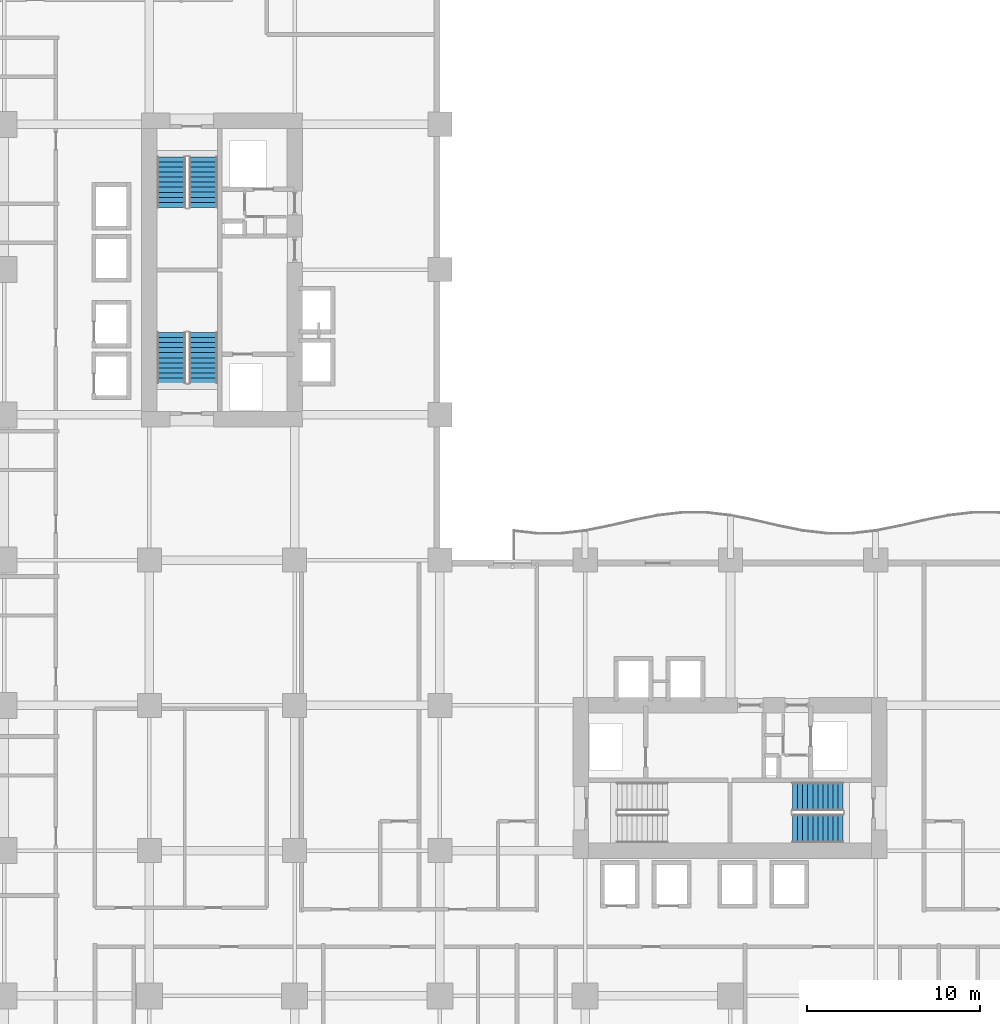
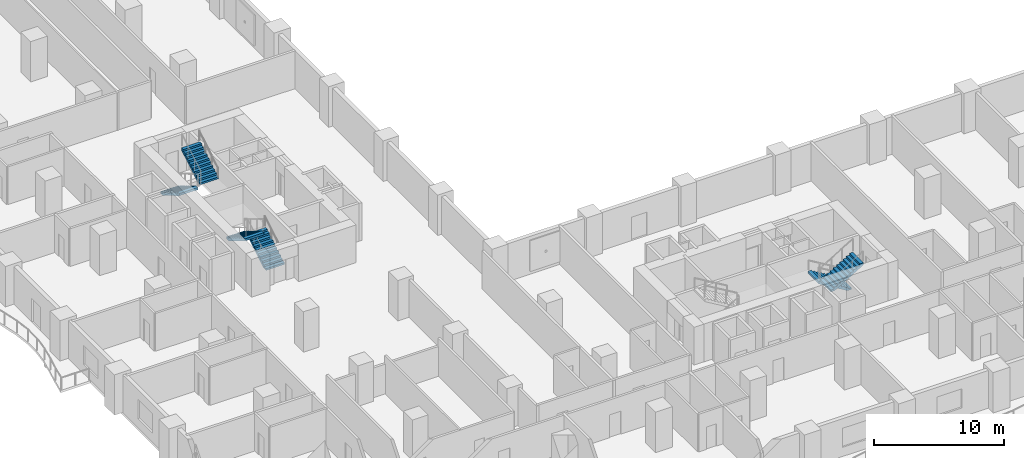
# One storey, part 14 of 22: 6 stair flights, 3 elements without a shape of their own.
"""IFC4 building model written with IfcOpenShell, lengths in metres."""

from ifc_helpers import new_model, si_unit, direction, frame, origin, place, context, subcontext, project, spatial, polyline, outline, extrude, material, type_object, element, aggregate, save


model = new_model("IFC4")

# Units and contexts
model_context = context("Model", 3, precision=1e-05, world=origin(), true_north=direction((0.0, 1.0)))
body_context = subcontext(model_context, "Body", "Model", "MODEL_VIEW")
ifc_project = project(units=[si_unit("LENGTHUNIT", "METRE"), si_unit("AREAUNIT", "SQUARE_METRE"), si_unit("VOLUMEUNIT", "CUBIC_METRE"), si_unit("PLANEANGLEUNIT", "RADIAN"), si_unit("MASSUNIT", "GRAM", prefix="KILO")], contexts=[model_context])

# Site, building, storey
site_placement = place(None, origin())
site = spatial("IfcSite", under=ifc_project, at=site_placement, CompositionType="ELEMENT")
building_placement = place(site_placement, origin())
building = spatial("IfcBuilding", under=site, at=building_placement, Name="Koriwani Terraces Tower", CompositionType="ELEMENT")
storey_placement = place(building_placement, frame((0.0, 0.0, 51.0)))
storey = spatial("IfcBuildingStorey", under=building, at=storey_placement, Name="L11", CompositionType="ELEMENT", Elevation=51.0)

# Stair, stair flights
ifc_material = material(Name="Concrete C40/50", Category="concrete")
stair_type = type_object("IfcStairType", Name="STAIR_CORE_DOGLEG_1650", PredefinedType="TWO_STRAIGHT_RUN_STAIR", material=ifc_material)
stair_1_placement = place(storey_placement, origin())
stair_1 = element("IfcStair", 1, at=stair_1_placement, inside=storey, type_object=stair_type, Name="L11 West Core Exit Stair 1", PredefinedType="HALF_TURN_STAIR")
stair_flight_type = type_object("IfcStairFlightType", Name="STAIR_FLIGHT_RC_1650", PredefinedType="STRAIGHT", material=ifc_material)
stair_flight_1_placement = place(storey_placement, frame((19.925048828125, 43.85009765625, 0.0), z_axis=(0.0, 0.0, 1.0), x_axis=(0.0, 1.0, 0.0)))
stair_flight_1 = element("IfcStairFlight", 2, at=stair_flight_1_placement, type_object=stair_flight_type, Name="ST-W1 flight 1", NumberOfRisers=11, NumberOfTreads=10, PredefinedType="STRAIGHT", RiserHeight=0.172727273, TreadLength=0.29, context=body_context, shape_type="SweptSolid", body=[
    extrude(outline(polyline([(0.0, 0.0), (0.0, 0.172607421875), (0.2900390625, 0.172607421875), (0.2900390625, 0.345458984375), (0.580078125, 0.345458984375), (0.580078125, 0.51806640625), (0.8701171875, 0.51806640625), (0.8701171875, 0.69091796875), (1.159912109375, 0.69091796875), (1.159912109375, 0.863525390625), (1.449951171875, 0.863525390625), (1.449951171875, 1.036376953125), (1.739990234375, 1.036376953125), (1.739990234375, 1.208984375), (2.030029296875, 1.208984375), (2.030029296875, 1.3818359375), (2.320068359375, 1.3818359375), (2.320068359375, 1.554443359375), (2.610107421875, 1.554443359375), (2.610107421875, 1.727294921875), (2.89990234375, 1.727294921875), (2.89990234375, 1.89990234375), (2.89990234375, 1.517822265625), (0.3515625, 0.0), (0.0, 0.0)])), frame((0.0, 0.824951171875, 0.0), z_axis=(0.0, -1.0, 0.0), x_axis=(1.0, 0.0, 0.0)), (0.0, 0.0, 1.0), 1.64990234375),
])
stair_flight_2_placement = place(storey_placement, frame((18.074951171875, 46.75, 1.89990234375), z_axis=(0.0, 0.0, 1.0), x_axis=(0.0, -1.0, 0.0)))
stair_flight_2 = element("IfcStairFlight", 3, at=stair_flight_2_placement, type_object=stair_flight_type, Name="ST-W1 flight 2", NumberOfRisers=11, NumberOfTreads=10, PredefinedType="STRAIGHT", RiserHeight=0.172727273, TreadLength=0.29, context=body_context, shape_type="SweptSolid", body=[
    extrude(outline(polyline([(0.0, 0.0), (0.0, 0.172607421875), (0.2900390625, 0.172607421875), (0.2900390625, 0.345458984375), (0.580078125, 0.345458984375), (0.580078125, 0.51806640625), (0.8701171875, 0.51806640625), (0.8701171875, 0.69091796875), (1.159912109375, 0.69091796875), (1.159912109375, 0.863525390625), (1.449951171875, 0.863525390625), (1.449951171875, 1.036376953125), (1.739990234375, 1.036376953125), (1.739990234375, 1.208984375), (2.030029296875, 1.208984375), (2.030029296875, 1.3818359375), (2.320068359375, 1.3818359375), (2.320068359375, 1.554443359375), (2.610107421875, 1.554443359375), (2.610107421875, 1.727294921875), (2.89990234375, 1.727294921875), (2.89990234375, 1.89990234375), (2.89990234375, 1.517822265625), (0.3515625, 0.0), (0.0, 0.0)])), frame((0.0, 0.824951171875, 0.0), z_axis=(0.0, -1.0, 0.0), x_axis=(1.0, 0.0, 0.0)), (0.0, 0.0, 1.0), 1.64990234375),
])
aggregate(stair_1, [stair_flight_1, stair_flight_2])

stair_2_placement = place(storey_placement, origin())
stair_2 = element("IfcStair", 4, at=stair_2_placement, inside=storey, type_object=stair_type, Name="L11 West Core Exit Stair 2", PredefinedType="HALF_TURN_STAIR")
stair_flight_3_placement = place(storey_placement, frame((18.074951171875, 56.89990234375, 0.0), z_axis=(0.0, 0.0, 1.0), x_axis=(0.0, -1.0, 0.0)))
stair_flight_3 = element("IfcStairFlight", 5, at=stair_flight_3_placement, type_object=stair_flight_type, Name="ST-W2 flight 1", NumberOfRisers=11, NumberOfTreads=10, PredefinedType="STRAIGHT", RiserHeight=0.172727273, TreadLength=0.29, context=body_context, shape_type="SweptSolid", body=[
    extrude(outline(polyline([(0.0, 0.0), (0.0, 0.172607421875), (0.2900390625, 0.172607421875), (0.2900390625, 0.345458984375), (0.580078125, 0.345458984375), (0.580078125, 0.51806640625), (0.8701171875, 0.51806640625), (0.8701171875, 0.69091796875), (1.159912109375, 0.69091796875), (1.159912109375, 0.863525390625), (1.449951171875, 0.863525390625), (1.449951171875, 1.036376953125), (1.739990234375, 1.036376953125), (1.739990234375, 1.208984375), (2.030029296875, 1.208984375), (2.030029296875, 1.3818359375), (2.320068359375, 1.3818359375), (2.320068359375, 1.554443359375), (2.610107421875, 1.554443359375), (2.610107421875, 1.727294921875), (2.89990234375, 1.727294921875), (2.89990234375, 1.89990234375), (2.89990234375, 1.517822265625), (0.3515625, 0.0), (0.0, 0.0)])), frame((0.0, 0.824951171875, 0.0), z_axis=(0.0, -1.0, 0.0), x_axis=(1.0, 0.0, 0.0)), (0.0, 0.0, 1.0), 1.64990234375),
])
stair_flight_4_placement = place(storey_placement, frame((19.925048828125, 54.0, 1.89990234375), z_axis=(0.0, 0.0, 1.0), x_axis=(0.0, 1.0, 0.0)))
stair_flight_4 = element("IfcStairFlight", 6, at=stair_flight_4_placement, type_object=stair_flight_type, Name="ST-W2 flight 2", NumberOfRisers=11, NumberOfTreads=10, PredefinedType="STRAIGHT", RiserHeight=0.172727273, TreadLength=0.29, context=body_context, shape_type="SweptSolid", body=[
    extrude(outline(polyline([(0.0, 0.0), (0.0, 0.172607421875), (0.2900390625, 0.172607421875), (0.2900390625, 0.345458984375), (0.580078125, 0.345458984375), (0.580078125, 0.51806640625), (0.8701171875, 0.51806640625), (0.8701171875, 0.69091796875), (1.159912109375, 0.69091796875), (1.159912109375, 0.863525390625), (1.449951171875, 0.863525390625), (1.449951171875, 1.036376953125), (1.739990234375, 1.036376953125), (1.739990234375, 1.208984375), (2.030029296875, 1.208984375), (2.030029296875, 1.3818359375), (2.320068359375, 1.3818359375), (2.320068359375, 1.554443359375), (2.610107421875, 1.554443359375), (2.610107421875, 1.727294921875), (2.89990234375, 1.727294921875), (2.89990234375, 1.89990234375), (2.89990234375, 1.517822265625), (0.3515625, 0.0), (0.0, 0.0)])), frame((0.0, 0.824951171875, 0.0), z_axis=(0.0, -1.0, 0.0), x_axis=(1.0, 0.0, 0.0)), (0.0, 0.0, 1.0), 1.64990234375),
])
aggregate(stair_2, [stair_flight_3, stair_flight_4])

stair_3_placement = place(storey_placement, origin())
stair_3 = element("IfcStair", 7, at=stair_3_placement, inside=storey, type_object=stair_type, Name="L11 East Core Exit Stair 2", PredefinedType="HALF_TURN_STAIR")
stair_flight_5_placement = place(storey_placement, frame((56.89990234375, 19.925048828125, 0.0), z_axis=(0.0, 0.0, 1.0), x_axis=(-1.0, 0.0, 0.0)))
stair_flight_5 = element("IfcStairFlight", 8, at=stair_flight_5_placement, type_object=stair_flight_type, Name="ST-E2 flight 1", NumberOfRisers=11, NumberOfTreads=10, PredefinedType="STRAIGHT", RiserHeight=0.172727273, TreadLength=0.29, context=body_context, shape_type="SweptSolid", body=[
    extrude(outline(polyline([(0.0, 0.0), (0.0, 0.172607421875), (0.2900390625, 0.172607421875), (0.2900390625, 0.345458984375), (0.580078125, 0.345458984375), (0.580078125, 0.51806640625), (0.8701171875, 0.51806640625), (0.8701171875, 0.69091796875), (1.159912109375, 0.69091796875), (1.159912109375, 0.863525390625), (1.449951171875, 0.863525390625), (1.449951171875, 1.036376953125), (1.739990234375, 1.036376953125), (1.739990234375, 1.208984375), (2.030029296875, 1.208984375), (2.030029296875, 1.3818359375), (2.320068359375, 1.3818359375), (2.320068359375, 1.554443359375), (2.610107421875, 1.554443359375), (2.610107421875, 1.727294921875), (2.89990234375, 1.727294921875), (2.89990234375, 1.89990234375), (2.89990234375, 1.517822265625), (0.3515625, 0.0), (0.0, 0.0)])), frame((0.0, 0.824951171875, 0.0), z_axis=(0.0, -1.0, 0.0), x_axis=(1.0, 0.0, 0.0)), (0.0, 0.0, 1.0), 1.64990234375),
])
stair_flight_6_placement = place(storey_placement, frame((54.0, 18.074951171875, 1.89990234375), z_axis=(0.0, 0.0, 1.0), x_axis=(1.0, 0.0, 0.0)))
stair_flight_6 = element("IfcStairFlight", 9, at=stair_flight_6_placement, type_object=stair_flight_type, Name="ST-E2 flight 2", NumberOfRisers=11, NumberOfTreads=10, PredefinedType="STRAIGHT", RiserHeight=0.172727273, TreadLength=0.29, context=body_context, shape_type="SweptSolid", body=[
    extrude(outline(polyline([(0.0, 0.0), (0.0, 0.172607421875), (0.2900390625, 0.172607421875), (0.2900390625, 0.345458984375), (0.580078125, 0.345458984375), (0.580078125, 0.51806640625), (0.8701171875, 0.51806640625), (0.8701171875, 0.69091796875), (1.159912109375, 0.69091796875), (1.159912109375, 0.863525390625), (1.449951171875, 0.863525390625), (1.449951171875, 1.036376953125), (1.739990234375, 1.036376953125), (1.739990234375, 1.208984375), (2.030029296875, 1.208984375), (2.030029296875, 1.3818359375), (2.320068359375, 1.3818359375), (2.320068359375, 1.554443359375), (2.610107421875, 1.554443359375), (2.610107421875, 1.727294921875), (2.89990234375, 1.727294921875), (2.89990234375, 1.89990234375), (2.89990234375, 1.517822265625), (0.3515625, 0.0), (0.0, 0.0)])), frame((0.0, 0.824951171875, 0.0), z_axis=(0.0, -1.0, 0.0), x_axis=(1.0, 0.0, 0.0)), (0.0, 0.0, 1.0), 1.64990234375),
])
aggregate(stair_3, [stair_flight_5, stair_flight_6])

save(model, "model.ifc")
